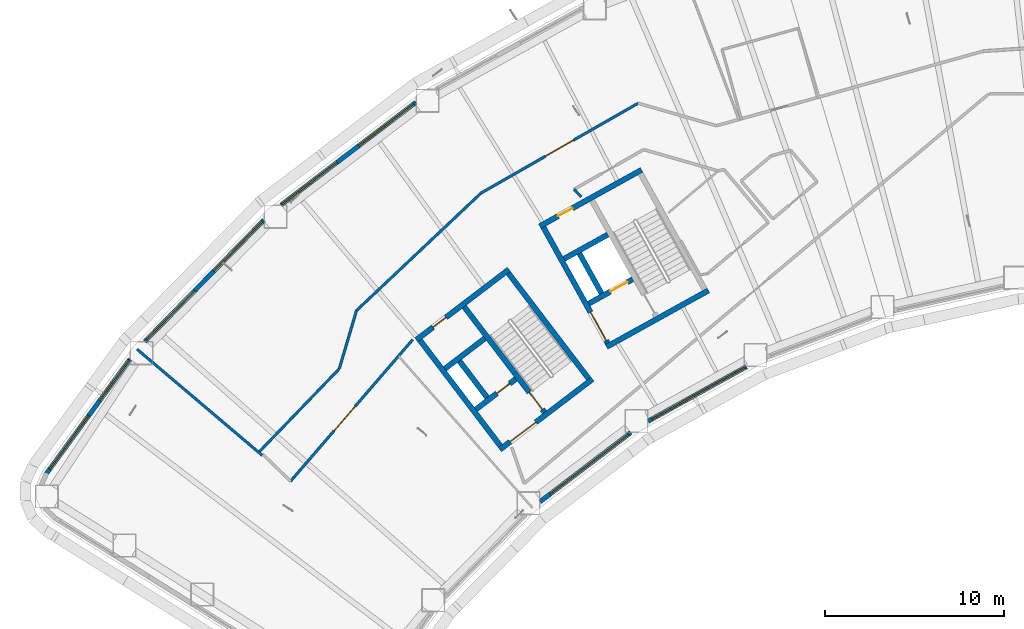
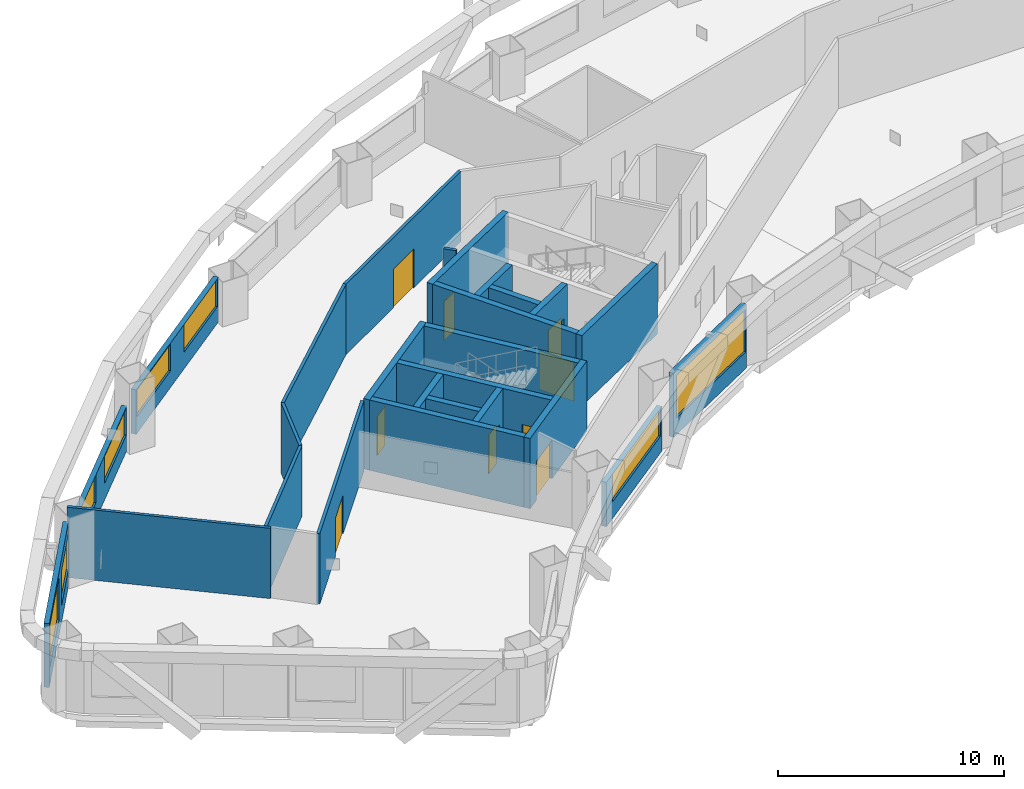
# One storey, part 3 of 19: 26 walls, 9 doors, 8 windows, 17 openings.
"""IFC4 building model written with IfcOpenShell, lengths in metres."""

from ifc_helpers import new_model, si_unit, direction, frame, frame_2d, origin, place, context, subcontext, project, spatial, rectangle, extrude, material, layer, layer_set, type_object, element, fill, save


model = new_model("IFC4")

# Units and contexts
model_context = context("Model", 3, precision=1e-05, world=origin(), true_north=direction((0.0, 1.0)))
body_context = subcontext(model_context, "Body", "Model", "MODEL_VIEW")
ifc_project = project(units=[si_unit("LENGTHUNIT", "METRE"), si_unit("AREAUNIT", "SQUARE_METRE"), si_unit("VOLUMEUNIT", "CUBIC_METRE"), si_unit("PLANEANGLEUNIT", "RADIAN"), si_unit("MASSUNIT", "GRAM", prefix="KILO")], contexts=[model_context])

# Site, building, storey
site_placement = place(None, origin())
site = spatial("IfcSite", under=ifc_project, at=site_placement, CompositionType="ELEMENT")
building_placement = place(site_placement, origin())
building = spatial("IfcBuilding", under=site, at=building_placement, Name="Tuul Gate Civic Tower", CompositionType="ELEMENT")
storey_placement = place(building_placement, frame((0.0, 0.0, 56.699951171875)))
storey = spatial("IfcBuildingStorey", under=building, at=storey_placement, Name="Level 12", CompositionType="ELEMENT", Elevation=56.699951171875)

# Wall, opening, door
ifc_material_1 = material(Name="Concrete C50/60", Category="concrete")
ifc_layer_1 = layer(ifc_material_1, 0.300048828125)
ifc_layer_set_1 = layer_set([ifc_layer_1], Name="Concrete C50/60")
wall_type_1 = type_object("IfcWallType", Name="Core wall C50/60", PredefinedType="SHEAR", material=ifc_layer_set_1)
wall_1_placement = place(storey_placement, frame((-31.19091796875, -13.669677734375, 0.0), z_axis=(0.0, 0.0, 1.0), x_axis=(-0.795606717756, -0.605813461934, 0.0)))
wall_1 = element("IfcWall", 1, at=wall_1_placement, inside=storey, type_object=wall_type_1, Name="Core wall", PredefinedType="SHEAR", context=body_context, shape_type="SweptSolid", body=[
    extrude(rectangle(XDim=6.5, YDim=0.300048828125, at=frame_2d((3.25, 0.0))), origin(), (0.0, 0.0, 1.0), 3.800048828125),
])
opening_1_placement = place(wall_1_placement, frame((3.97509765625, 0.0, 0.0)))
opening_1 = element("IfcOpeningElement", 2, at=opening_1_placement, cuts=wall_1, Name="Opening LB-W1-LOBBY-1", PredefinedType="OPENING", context=body_context, shape_type="SweptSolid", body=[
    extrude(rectangle(XDim=1.800048828125, YDim=2.10009765625, at=frame_2d((0.89990234375, 1.050048828125))), frame((0.0, 0.16015625, 0.0), z_axis=(0.0, -1.0, 0.0), x_axis=(1.0, 0.0, 0.0)), (0.0, 0.0, 1.0), 0.320068359375),
])
ifc_material_2 = material(Name="Steel", Category="steel")
door_type_1 = type_object("IfcDoorType", Name="Lobby door", OperationType="DOUBLE_DOOR_SINGLE_SWING", PredefinedType="DOOR", material=ifc_material_2)
door_1_placement = place(opening_1_placement, origin())
door_1 = element("IfcDoor", 3, at=door_1_placement, inside=storey, type_object=door_type_1, Name="Lobby door W1-LOBBY", OperationType="DOUBLE_DOOR_SINGLE_SWING", OverallHeight=2.10009765625, OverallWidth=1.800048828125, PredefinedType="DOOR", context=body_context, shape_type="SweptSolid", body=[
    extrude(rectangle(XDim=1.800048828125, YDim=2.10009765625, at=frame_2d((0.89990234375, 1.050048828125))), frame((0.0, 0.02490234375, 0.0), z_axis=(0.0, -1.0, 0.0), x_axis=(1.0, 0.0, 0.0)), (0.0, 0.0, 1.0), 0.050048828125),
])
fill(opening_1, door_1)

wall_2_placement = place(storey_placement, frame((-35.470947265625, -13.66064453125, 0.0), z_axis=(0.0, 0.0, 1.0), x_axis=(-0.795615822227, -0.605801504968, 0.0)))
wall_2 = element("IfcWall", 4, at=wall_2_placement, inside=storey, type_object=wall_type_1, Name="Core wall", PredefinedType="SHEAR", context=body_context, shape_type="SweptSolid", body=[
    extrude(rectangle(XDim=2.800048828125, YDim=0.300048828125, at=frame_2d((1.39990234375, 0.0))), origin(), (0.0, 0.0, 1.0), 3.800048828125),
])
opening_2_placement = place(wall_2_placement, frame((0.425048828125, 0.0, 0.0)))
opening_2 = element("IfcOpeningElement", 5, at=opening_2_placement, cuts=wall_2, Name="Opening FB-W1A1", PredefinedType="OPENING", context=body_context, shape_type="SweptSolid", body=[
    extrude(rectangle(XDim=0.89990234375, YDim=2.10009765625, at=frame_2d((0.449951171875, 1.050048828125))), frame((0.0, 0.16015625, 0.0), z_axis=(0.0, -1.0, 0.0), x_axis=(1.0, 0.0, 0.0)), (0.0, 0.0, 1.0), 0.320068359375),
])
ifc_material_3 = material(Name="Steel", Category="steel")
door_type_2 = type_object("IfcDoorType", Name="Store door", OperationType="NOTDEFINED", PredefinedType="DOOR", material=ifc_material_3)
door_2_placement = place(opening_2_placement, frame((0.89990234375, 0.0, 0.0), z_axis=(0.0, 0.0, 1.0), x_axis=(-1.0, 0.0, 0.0)))
door_2 = element("IfcDoor", 6, at=door_2_placement, inside=storey, type_object=door_type_2, Name="Store door W1A1", OperationType="SINGLE_SWING_RIGHT", OverallHeight=2.10009765625, OverallWidth=0.89990234375, PredefinedType="DOOR", context=body_context, shape_type="SweptSolid", body=[
    extrude(rectangle(XDim=0.89990234375, YDim=2.10009765625, at=frame_2d((0.449951171875, 1.050048828125))), frame((0.0, 0.02490234375, 0.0), z_axis=(0.0, -1.0, 0.0), x_axis=(1.0, 0.0, 0.0)), (0.0, 0.0, 1.0), 0.050048828125),
])
fill(opening_2, door_2)

# Wall
wall_3_placement = place(storey_placement, frame((-37.197509765625, -11.39306640625, 0.0), z_axis=(0.0, 0.0, 1.0), x_axis=(-0.795583820278, -0.605843531707, 0.0)))
element("IfcWall", 7, at=wall_3_placement, inside=storey, type_object=wall_type_1, Name="Core wall", PredefinedType="SHEAR", context=body_context, shape_type="SweptSolid", body=[
    extrude(rectangle(XDim=2.7998046875, YDim=0.300048828125, at=frame_2d((1.39990234375, 0.0))), origin(), (0.0, 0.0, 1.0), 3.800048828125),
])

# Wall, opening, door
wall_4_placement = place(storey_placement, frame((-35.855224609375, -7.543212890625, 0.0), z_axis=(0.0, 0.0, 1.0), x_axis=(-0.79563860527, -0.605771582202, 0.0)))
wall_4 = element("IfcWall", 8, at=wall_4_placement, inside=storey, type_object=wall_type_1, Name="Core wall", PredefinedType="SHEAR", context=body_context, shape_type="SweptSolid", body=[
    extrude(rectangle(XDim=6.5, YDim=0.300048828125, at=frame_2d((3.25, 0.0))), origin(), (0.0, 0.0, 1.0), 3.800048828125),
])
opening_3_placement = place(wall_4_placement, frame((4.425048828125, 0.0, 0.0)))
opening_3 = element("IfcOpeningElement", 9, at=opening_3_placement, cuts=wall_4, Name="Opening C-D13", PredefinedType="OPENING", context=body_context, shape_type="SweptSolid", body=[
    extrude(rectangle(XDim=0.89990234375, YDim=2.10009765625, at=frame_2d((0.449951171875, 1.050048828125))), frame((0.0, 0.16015625, 0.0), z_axis=(0.0, -1.0, 0.0), x_axis=(1.0, 0.0, 0.0)), (0.0, 0.0, 1.0), 0.320068359375),
])
ifc_material_4 = material(Name="Timber door leaf", Category="wood")
door_type_3 = type_object("IfcDoorType", Name="Door D09", OperationType="NOTDEFINED", PredefinedType="DOOR", material=ifc_material_4)
door_3_placement = place(opening_3_placement, origin())
door_3 = element("IfcDoor", 10, at=door_3_placement, inside=storey, type_object=door_type_3, Name="Door C-D13", OperationType="SINGLE_SWING_LEFT", OverallHeight=2.10009765625, OverallWidth=0.89990234375, PredefinedType="DOOR", context=body_context, shape_type="SweptSolid", body=[
    extrude(rectangle(XDim=0.89990234375, YDim=2.10009765625, at=frame_2d((0.449951171875, 1.050048828125))), frame((0.0, 0.02490234375, 0.0), z_axis=(0.0, -1.0, 0.0), x_axis=(1.0, 0.0, 0.0)), (0.0, 0.0, 1.0), 0.050048828125),
])
fill(opening_3, door_3)

# Wall
wall_5_placement = place(storey_placement, frame((-31.401123046875, -13.64111328125, 0.0), z_axis=(0.0, 0.0, 1.0), x_axis=(-0.605769822278, 0.795639945213, 0.0)))
element("IfcWall", 11, at=wall_5_placement, inside=storey, type_object=wall_type_1, Name="Core wall", PredefinedType="SHEAR", context=body_context, shape_type="SweptSolid", body=[
    extrude(rectangle(XDim=7.39990234375, YDim=0.300048828125, at=frame_2d((3.699951171875, 0.0))), origin(), (0.0, 0.0, 1.0), 3.800048828125),
])

# Wall, opening, door
wall_6_placement = place(storey_placement, frame((-33.867431640625, -15.51904296875, 0.0), z_axis=(0.0, 0.0, 1.0), x_axis=(-0.605769822278, 0.795639945213, 0.0)))
wall_6 = element("IfcWall", 12, at=wall_6_placement, inside=storey, type_object=wall_type_1, Name="Core wall", PredefinedType="SHEAR", context=body_context, shape_type="SweptSolid", body=[
    extrude(rectangle(XDim=7.39990234375, YDim=0.300048828125, at=frame_2d((3.699951171875, 0.0))), origin(), (0.0, 0.0, 1.0), 3.800048828125),
])
opening_4_placement = place(wall_6_placement, frame((0.199951171875, 0.0, 0.0)))
opening_4 = element("IfcOpeningElement", 13, at=opening_4_placement, cuts=wall_6, Name="Opening SD-ST-1", PredefinedType="OPENING", context=body_context, shape_type="SweptSolid", body=[
    extrude(rectangle(XDim=1.199951171875, YDim=2.10009765625, at=frame_2d((0.60009765625, 1.050048828125))), frame((0.0, 0.16015625, 0.0), z_axis=(0.0, -1.0, 0.0), x_axis=(1.0, 0.0, 0.0)), (0.0, 0.0, 1.0), 0.320068359375),
])
ifc_material_5 = material(Name="Steel", Category="steel")
door_type_4 = type_object("IfcDoorType", Name="Stair door", OperationType="NOTDEFINED", PredefinedType="DOOR", material=ifc_material_5)
door_4_placement = place(opening_4_placement, origin())
door_4 = element("IfcDoor", 14, at=door_4_placement, inside=storey, type_object=door_type_4, Name="Stair door ST-1", OperationType="SINGLE_SWING_LEFT", OverallHeight=2.10009765625, OverallWidth=1.199951171875, PredefinedType="DOOR", context=body_context, shape_type="SweptSolid", body=[
    extrude(rectangle(XDim=1.199951171875, YDim=2.10009765625, at=frame_2d((0.60009765625, 1.050048828125))), frame((0.0, 0.02490234375, 0.0), z_axis=(0.0, -1.0, 0.0), x_axis=(1.0, 0.0, 0.0)), (0.0, 0.0, 1.0), 0.050048828125),
])
fill(opening_4, door_4)

# Walls
wall_7_placement = place(storey_placement, frame((-37.073486328125, -14.6923828125, 0.0), z_axis=(0.0, 0.0, 1.0), x_axis=(-0.605728760074, 0.79567120673, 0.0)))
element("IfcWall", 15, at=wall_7_placement, inside=storey, type_object=wall_type_1, Name="Core wall", PredefinedType="SHEAR", context=body_context, shape_type="SweptSolid", body=[
    extrude(rectangle(XDim=2.550048828125, YDim=0.300048828125, at=frame_2d((1.27490234375, 0.0))), origin(), (0.0, 0.0, 1.0), 3.800048828125),
])
wall_8_placement = place(storey_placement, frame((-36.333984375, -17.397216796875, 0.0), z_axis=(0.0, 0.0, 1.0), x_axis=(-0.605753921168, 0.795652051458, 0.0)))
element("IfcWall", 16, at=wall_8_placement, inside=storey, type_object=wall_type_1, Name="Core wall", PredefinedType="SHEAR", context=body_context, shape_type="SweptSolid", body=[
    extrude(rectangle(XDim=7.400146484375, YDim=0.300048828125, at=frame_2d((3.7001953125, 0.0))), origin(), (0.0, 0.0, 1.0), 3.800048828125),
])
wall_9_placement = place(storey_placement, frame((-24.711669921875, -8.7158203125, 0.0), z_axis=(0.0, 0.0, 1.0), x_axis=(-0.874629909008, -0.484791215132, 0.0)))
element("IfcWall", 17, at=wall_9_placement, inside=storey, type_object=wall_type_1, Name="Core wall", PredefinedType="SHEAR", context=body_context, shape_type="SweptSolid", body=[
    extrude(rectangle(XDim=6.5, YDim=0.300048828125, at=frame_2d((3.25, 0.0))), origin(), (0.0, 0.0, 1.0), 3.800048828125),
])

# Wall, opening, door
wall_10_placement = place(storey_placement, frame((-28.94580078125, -8.090087890625, 0.0), z_axis=(0.0, 0.0, 1.0), x_axis=(-0.874629840737, -0.484791338301, 0.0)))
wall_10 = element("IfcWall", 18, at=wall_10_placement, inside=storey, type_object=wall_type_1, Name="Core wall", PredefinedType="SHEAR", context=body_context, shape_type="SweptSolid", body=[
    extrude(rectangle(XDim=2.800048828125, YDim=0.300048828125, at=frame_2d((1.39990234375, 0.0))), origin(), (0.0, 0.0, 1.0), 3.800048828125),
])
opening_5_placement = place(wall_10_placement, frame((0.324951171875, 0.0, 0.0)))
opening_5 = element("IfcOpeningElement", 19, at=opening_5_placement, cuts=wall_10, Name="Opening LD-FF-1", PredefinedType="OPENING", context=body_context, shape_type="SweptSolid", body=[
    extrude(rectangle(XDim=1.10009765625, YDim=2.10009765625, at=frame_2d((0.550048828125, 1.050048828125))), frame((0.0, 0.16015625, 0.0), z_axis=(0.0, -1.0, 0.0), x_axis=(1.0, 0.0, 0.0)), (0.0, 0.0, 1.0), 0.320068359375),
])
ifc_material_6 = material(Name="Stainless steel", Category="steel")
door_type_5 = type_object("IfcDoorType", Name="Landing door", OperationType="DOUBLE_DOOR_SLIDING", PredefinedType="DOOR", material=ifc_material_6)
door_5_placement = place(opening_5_placement, origin())
door_5 = element("IfcDoor", 20, at=door_5_placement, inside=storey, type_object=door_type_5, Name="Fire-fighting lift FF-1 landing door", OperationType="DOUBLE_DOOR_SLIDING", OverallHeight=2.10009765625, OverallWidth=1.10009765625, PredefinedType="DOOR", context=body_context, shape_type="SweptSolid", body=[
    extrude(rectangle(XDim=1.10009765625, YDim=2.10009765625, at=frame_2d((0.550048828125, 1.050048828125))), frame((0.0, 0.02490234375, 0.0), z_axis=(0.0, -1.0, 0.0), x_axis=(1.0, 0.0, 0.0)), (0.0, 0.0, 1.0), 0.050048828125),
])
fill(opening_5, door_5)

# Wall
wall_11_placement = place(storey_placement, frame((-30.327392578125, -5.59716796875, 0.0), z_axis=(0.0, 0.0, 1.0), x_axis=(-0.874629840737, -0.484791338301, 0.0)))
element("IfcWall", 21, at=wall_11_placement, inside=storey, type_object=wall_type_1, Name="Core wall", PredefinedType="SHEAR", context=body_context, shape_type="SweptSolid", body=[
    extrude(rectangle(XDim=2.800048828125, YDim=0.300048828125, at=frame_2d((1.39990234375, 0.0))), origin(), (0.0, 0.0, 1.0), 3.800048828125),
])

# Wall, opening, door
wall_12_placement = place(storey_placement, frame((-28.4443359375, -1.98095703125, 0.0), z_axis=(0.0, 0.0, 1.0), x_axis=(-0.874629909008, -0.484791215132, 0.0)))
wall_12 = element("IfcWall", 22, at=wall_12_placement, inside=storey, type_object=wall_type_1, Name="Core wall", PredefinedType="SHEAR", context=body_context, shape_type="SweptSolid", body=[
    extrude(rectangle(XDim=6.5, YDim=0.300048828125, at=frame_2d((3.25, 0.0))), origin(), (0.0, 0.0, 1.0), 3.800048828125),
])
opening_6_placement = place(wall_12_placement, frame((4.425048828125, 0.0, 0.0)))
opening_6 = element("IfcOpeningElement", 23, at=opening_6_placement, cuts=wall_12, Name="Opening C-D14", PredefinedType="OPENING", context=body_context, shape_type="SweptSolid", body=[
    extrude(rectangle(XDim=0.89990234375, YDim=2.10009765625, at=frame_2d((0.449951171875, 1.050048828125))), frame((0.0, 0.16015625, 0.0), z_axis=(0.0, -1.0, 0.0), x_axis=(1.0, 0.0, 0.0)), (0.0, 0.0, 1.0), 0.320068359375),
])
door_6_placement = place(opening_6_placement, origin())
door_6 = element("IfcDoor", 24, at=door_6_placement, inside=storey, type_object=door_type_3, Name="Door C-D14", OperationType="SINGLE_SWING_LEFT", OverallHeight=2.10009765625, OverallWidth=0.89990234375, PredefinedType="DOOR", context=body_context, shape_type="SweptSolid", body=[
    extrude(rectangle(XDim=0.89990234375, YDim=2.10009765625, at=frame_2d((0.449951171875, 1.050048828125))), frame((0.0, 0.02490234375, 0.0), z_axis=(0.0, -1.0, 0.0), x_axis=(1.0, 0.0, 0.0)), (0.0, 0.0, 1.0), 0.050048828125),
])
fill(opening_6, door_6)

# Wall
wall_13_placement = place(storey_placement, frame((-30.680419921875, -8.8798828125, 0.0), z_axis=(0.0, 0.0, 1.0), x_axis=(-0.484724115216, 0.874667097888, 0.0)))
element("IfcWall", 25, at=wall_13_placement, inside=storey, type_object=wall_type_1, Name="Core wall", PredefinedType="SHEAR", context=body_context, shape_type="SweptSolid", body=[
    extrude(rectangle(XDim=2.550048828125, YDim=0.300048828125, at=frame_2d((1.27490234375, 0.0))), origin(), (0.0, 0.0, 1.0), 3.800048828125),
])

# Wall, opening, door
wall_14_placement = place(storey_placement, frame((-30.33837890625, -11.6630859375, 0.0), z_axis=(0.0, 0.0, 1.0), x_axis=(-0.484751894226, 0.874651702704, 0.0)))
wall_14 = element("IfcWall", 26, at=wall_14_placement, inside=storey, type_object=wall_type_1, Name="Core wall", PredefinedType="SHEAR", context=body_context, shape_type="SweptSolid", body=[
    extrude(rectangle(XDim=7.39990234375, YDim=0.300048828125, at=frame_2d((3.699951171875, 0.0))), origin(), (0.0, 0.0, 1.0), 3.800048828125),
])
opening_7_placement = place(wall_14_placement, frame((0.175048828125, 0.0, 0.0)))
opening_7 = element("IfcOpeningElement", 27, at=opening_7_placement, cuts=wall_14, Name="Opening LB-W2-FLOBBY-1", PredefinedType="OPENING", context=body_context, shape_type="SweptSolid", body=[
    extrude(rectangle(XDim=1.800048828125, YDim=2.10009765625, at=frame_2d((0.89990234375, 1.050048828125))), frame((0.0, 0.16015625, 0.0), z_axis=(0.0, -1.0, 0.0), x_axis=(1.0, 0.0, 0.0)), (0.0, 0.0, 1.0), 0.320068359375),
])
door_7_placement = place(opening_7_placement, origin())
door_7 = element("IfcDoor", 28, at=door_7_placement, inside=storey, type_object=door_type_1, Name="Lobby door W2-FLOBBY", OperationType="DOUBLE_DOOR_SINGLE_SWING", OverallHeight=2.10009765625, OverallWidth=1.800048828125, PredefinedType="DOOR", context=body_context, shape_type="SweptSolid", body=[
    extrude(rectangle(XDim=1.800048828125, YDim=2.10009765625, at=frame_2d((0.89990234375, 1.050048828125))), frame((0.0, 0.02490234375, 0.0), z_axis=(0.0, -1.0, 0.0), x_axis=(1.0, 0.0, 0.0)), (0.0, 0.0, 1.0), 0.050048828125),
])
fill(opening_7, door_7)

ifc_material_7 = material(Name="Gypsum board partition")
ifc_layer_2 = layer(ifc_material_7, 0.14990234375)
ifc_layer_set_2 = layer_set([ifc_layer_2], Name="Gypsum board partition")
wall_type_2 = type_object("IfcWallType", Name="Corridor wall P150", PredefinedType="PARTITIONING", material=ifc_layer_set_2)
wall_15_placement = place(storey_placement, frame((-37.4111328125, -3.27685546875, 0.0), z_axis=(0.0, 0.0, 1.0), x_axis=(0.868030392738, 0.496511064614, 0.0)))
wall_15 = element("IfcWall", 29, at=wall_15_placement, inside=storey, type_object=wall_type_2, Name="p035", PredefinedType="PARTITIONING", context=body_context, shape_type="SweptSolid", body=[
    extrude(rectangle(XDim=10.102294921875, YDim=0.14990234375, at=frame_2d((5.05126953125, 0.0))), origin(), (0.0, 0.0, 1.0), 3.800048828125),
])
opening_8_placement = place(wall_15_placement, frame((4.151123046875, 0.0, 0.0)))
opening_8 = element("IfcOpeningElement", 30, at=opening_8_placement, cuts=wall_15, Name="Opening C-D05", PredefinedType="OPENING", context=body_context, shape_type="SweptSolid", body=[
    extrude(rectangle(XDim=1.800048828125, YDim=2.10009765625, at=frame_2d((0.89990234375, 1.050048828125))), frame((0.0, 0.0849609375, 0.0), z_axis=(0.0, -1.0, 0.0), x_axis=(1.0, 0.0, 0.0)), (0.0, 0.0, 1.0), 0.169921875),
])
ifc_material_8 = material(Name="Timber door leaf, double", Category="wood")
door_type_6 = type_object("IfcDoorType", Name="Door D18", OperationType="DOUBLE_DOOR_SINGLE_SWING", PredefinedType="DOOR", material=ifc_material_8)
door_8_placement = place(opening_8_placement, origin())
door_8 = element("IfcDoor", 31, at=door_8_placement, inside=storey, type_object=door_type_6, Name="Door C-D05", OperationType="DOUBLE_DOOR_SINGLE_SWING", OverallHeight=2.10009765625, OverallWidth=1.800048828125, PredefinedType="DOOR", context=body_context, shape_type="SweptSolid", body=[
    extrude(rectangle(XDim=1.800048828125, YDim=2.10009765625, at=frame_2d((0.89990234375, 1.050048828125))), frame((0.0, 0.02490234375, 0.0), z_axis=(0.0, -1.0, 0.0), x_axis=(1.0, 0.0, 0.0)), (0.0, 0.0, 1.0), 0.050048828125),
])
fill(opening_8, door_8)

# Walls
wall_16_placement = place(storey_placement, frame((-44.368408203125, -9.840087890625, 0.0), z_axis=(0.0, 0.0, 1.0), x_axis=(0.727386198167, 0.686228328412, 0.0)))
element("IfcWall", 32, at=wall_16_placement, inside=storey, type_object=wall_type_2, Name="p036", PredefinedType="PARTITIONING", context=body_context, shape_type="SweptSolid", body=[
    extrude(rectangle(XDim=9.56201171875, YDim=0.14990234375, at=frame_2d((4.781005859375, 0.0))), origin(), (0.0, 0.0, 1.0), 3.800048828125),
])
wall_17_placement = place(storey_placement, frame((-45.328125, -13.085205078125, 0.0), z_axis=(0.0, 0.0, 1.0), x_axis=(0.283471373964, 0.958980698525, 0.0)))
element("IfcWall", 33, at=wall_17_placement, inside=storey, type_object=wall_type_2, Name="p037", PredefinedType="PARTITIONING", context=body_context, shape_type="SweptSolid", body=[
    extrude(rectangle(XDim=3.382080078125, YDim=0.14990234375, at=frame_2d((1.69091796875, 0.0))), origin(), (0.0, 0.0, 1.0), 3.800048828125),
])
wall_18_placement = place(storey_placement, frame((-49.778076171875, -17.70458984375, 0.0), z_axis=(0.0, 0.0, 1.0), x_axis=(0.694082648112, 0.71989532405, 0.0)))
element("IfcWall", 34, at=wall_18_placement, inside=storey, type_object=wall_type_2, Name="p038", PredefinedType="PARTITIONING", context=body_context, shape_type="SweptSolid", body=[
    extrude(rectangle(XDim=6.403076171875, YDim=0.14990234375, at=frame_2d((3.20166015625, 0.0))), origin(), (0.0, 0.0, 1.0), 3.800048828125),
])
wall_19_placement = place(storey_placement, frame((-56.62353515625, -12.0029296875, 0.0), z_axis=(0.0, 0.0, 1.0), x_axis=(0.762780122702, -0.646657934623, 0.0)))
element("IfcWall", 35, at=wall_19_placement, inside=storey, type_object=wall_type_2, Name="p040", PredefinedType="PARTITIONING", context=body_context, shape_type="SweptSolid", body=[
    extrude(rectangle(XDim=9.15625, YDim=0.14990234375, at=frame_2d((4.578125, 0.0))), origin(), (0.0, 0.0, 1.0), 3.800048828125),
])

# Wall, opening, door
wall_20_placement = place(storey_placement, frame((-48.051025390625, -19.37109375, 0.0), z_axis=(0.0, 0.0, 1.0), x_axis=(0.653110258005, 0.757262828144, 0.0)))
wall_20 = element("IfcWall", 36, at=wall_20_placement, inside=storey, type_object=wall_type_2, Name="p047", PredefinedType="PARTITIONING", context=body_context, shape_type="SweptSolid", body=[
    extrude(rectangle(XDim=10.44287109375, YDim=0.14990234375, at=frame_2d((5.221435546875, 0.0))), origin(), (0.0, 0.0, 1.0), 3.800048828125),
])
opening_9_placement = place(wall_20_placement, frame((3.714599609375, 0.0, 0.0)))
opening_9 = element("IfcOpeningElement", 37, at=opening_9_placement, cuts=wall_20, Name="Opening C-D09", PredefinedType="OPENING", context=body_context, shape_type="SweptSolid", body=[
    extrude(rectangle(XDim=1.800048828125, YDim=2.10009765625, at=frame_2d((0.89990234375, 1.050048828125))), frame((0.0, 0.0849609375, 0.0), z_axis=(0.0, -1.0, 0.0), x_axis=(1.0, 0.0, 0.0)), (0.0, 0.0, 1.0), 0.169921875),
])
door_9_placement = place(opening_9_placement, frame((1.800048828125, 0.0, 0.0), z_axis=(0.0, 0.0, 1.0), x_axis=(-1.0, 0.0, 0.0)))
door_9 = element("IfcDoor", 38, at=door_9_placement, inside=storey, type_object=door_type_6, Name="Door C-D09", OperationType="DOUBLE_DOOR_SINGLE_SWING", OverallHeight=2.10009765625, OverallWidth=1.800048828125, PredefinedType="DOOR", context=body_context, shape_type="SweptSolid", body=[
    extrude(rectangle(XDim=1.800048828125, YDim=2.10009765625, at=frame_2d((0.900146484375, 1.050048828125))), frame((0.0, 0.02490234375, 0.0), z_axis=(0.0, -1.0, 0.0), x_axis=(1.0, 0.0, 0.0)), (0.0, 0.0, 1.0), 0.050048828125),
])
fill(opening_9, door_9)

# Wall
wall_21_placement = place(storey_placement, frame((-32.216552734375, -3.0703125, 0.0), z_axis=(0.0, 0.0, 1.0), x_axis=(0.695151117755, -0.718863633441, 0.0)))
element("IfcWall", 39, at=wall_21_placement, inside=storey, type_object=wall_type_2, Name="p061", PredefinedType="PARTITIONING", context=body_context, shape_type="SweptSolid", body=[
    extrude(rectangle(XDim=0.5869140625, YDim=0.14990234375, at=frame_2d((0.29345703125, 0.0))), origin(), (0.0, 0.0, 1.0), 3.800048828125),
])

# Wall, openings, windows
ifc_material_9 = material(Name="Precast concrete C40/50", Category="concrete")
ifc_layer_3 = layer(ifc_material_9, 0.25)
ifc_layer_set_3 = layer_set([ifc_layer_3], Name="Precast concrete C40/50")
wall_type_3 = type_object("IfcWallType", Name="External wall", PredefinedType="STANDARD", material=ifc_layer_set_3)
wall_22_placement = place(storey_placement, frame((-57.02197265625, -12.556884765625, 0.0), z_axis=(0.0, 0.0, 1.0), x_axis=(-0.589806928208, -0.807544294412, 0.0)))
wall_22 = element("IfcWall", 40, at=wall_22_placement, inside=storey, type_object=wall_type_3, Name="External wall", PredefinedType="STANDARD", context=body_context, shape_type="SweptSolid", body=[
    extrude(rectangle(XDim=7.912841796875, YDim=0.25, at=frame_2d((3.95654296875, 0.0))), origin(), (0.0, 0.0, 1.0), 3.449951171875),
])
opening_10_placement = place(wall_22_placement, frame((0.06103515625, 0.0, 0.89990234375)))
opening_10 = element("IfcOpeningElement", 41, at=opening_10_placement, cuts=wall_22, Name="Opening W139", PredefinedType="OPENING", context=body_context, shape_type="SweptSolid", body=[
    extrude(rectangle(XDim=2.800048828125, YDim=1.89990234375, at=frame_2d((1.39990234375, 0.949951171875))), frame((0.0, 0.135009765625, 0.0), z_axis=(0.0, -1.0, 0.0), x_axis=(1.0, 0.0, 0.0)), (0.0, 0.0, 1.0), 0.27001953125),
])
opening_11_placement = place(wall_22_placement, frame((3.912109375, 0.0, 0.89990234375)))
opening_11 = element("IfcOpeningElement", 42, at=opening_11_placement, cuts=wall_22, Name="Opening W21", PredefinedType="OPENING", context=body_context, shape_type="SweptSolid", body=[
    extrude(rectangle(XDim=3.699951171875, YDim=2.300048828125, at=frame_2d((1.85009765625, 1.14990234375))), frame((0.0, 0.135009765625, 0.0), z_axis=(0.0, -1.0, 0.0), x_axis=(1.0, 0.0, 0.0)), (0.0, 0.0, 1.0), 0.27001953125),
])
ifc_material_10 = material(Name="Glass", Category="glass")
window_type_1 = type_object("IfcWindowType", Name="Window W139 2800 x 1900", PartitioningType="SINGLE_PANEL", PredefinedType="WINDOW", material=ifc_material_10)
window_1_placement = place(opening_10_placement, origin())
window_1 = element("IfcWindow", 43, at=window_1_placement, inside=storey, type_object=window_type_1, Name="Window", OverallHeight=1.89990234375, OverallWidth=2.800048828125, PartitioningType="SINGLE_PANEL", PredefinedType="WINDOW", context=body_context, shape_type="SweptSolid", body=[
    extrude(rectangle(XDim=2.800048828125, YDim=1.89990234375, at=frame_2d((1.39990234375, 0.949951171875))), frame((0.0, 0.030029296875, 0.0), z_axis=(0.0, -1.0, 0.0), x_axis=(1.0, 0.0, 0.0)), (0.0, 0.0, 1.0), 0.06005859375),
])
fill(opening_10, window_1)
ifc_material_11 = material(Name="Glass", Category="glass")
window_type_2 = type_object("IfcWindowType", Name="Window W21 3700 x 2300", PartitioningType="SINGLE_PANEL", PredefinedType="WINDOW", material=ifc_material_11)
window_2_placement = place(opening_11_placement, origin())
window_2 = element("IfcWindow", 44, at=window_2_placement, inside=storey, type_object=window_type_2, Name="Window", OverallHeight=2.300048828125, OverallWidth=3.699951171875, PartitioningType="SINGLE_PANEL", PredefinedType="WINDOW", context=body_context, shape_type="SweptSolid", body=[
    extrude(rectangle(XDim=3.699951171875, YDim=2.300048828125, at=frame_2d((1.85009765625, 1.14990234375))), frame((0.0, 0.030029296875, 0.0), z_axis=(0.0, -1.0, 0.0), x_axis=(1.0, 0.0, 0.0)), (0.0, 0.0, 1.0), 0.06005859375),
])
fill(opening_11, window_2)

# Wall, opening, window
wall_23_placement = place(storey_placement, frame((-28.076904296875, -16.0166015625, 0.0), z_axis=(0.0, 0.0, 1.0), x_axis=(0.874630436192, 0.484790264018, 0.0)))
wall_23 = element("IfcWall", 45, at=wall_23_placement, inside=storey, type_object=wall_type_3, Name="External wall", PredefinedType="STANDARD", context=body_context, shape_type="SweptSolid", body=[
    extrude(rectangle(XDim=6.27392578125, YDim=0.25, at=frame_2d((3.136962890625, 0.0))), origin(), (0.0, 0.0, 1.0), 3.449951171875),
])
opening_12_placement = place(wall_23_placement, frame((0.237060546875, 0.0, 0.89990234375)))
opening_12 = element("IfcOpeningElement", 46, at=opening_12_placement, cuts=wall_23, Name="Opening W101", PredefinedType="OPENING", context=body_context, shape_type="SweptSolid", body=[
    extrude(rectangle(XDim=5.949951171875, YDim=2.300048828125, at=frame_2d((2.97509765625, 1.14990234375))), frame((0.0, 0.135009765625, 0.0), z_axis=(0.0, -1.0, 0.0), x_axis=(1.0, 0.0, 0.0)), (0.0, 0.0, 1.0), 0.27001953125),
])
ifc_material_12 = material(Name="Glass", Category="glass")
window_type_3 = type_object("IfcWindowType", Name="Window W101 5950 x 2300", PartitioningType="SINGLE_PANEL", PredefinedType="WINDOW", material=ifc_material_12)
window_3_placement = place(opening_12_placement, origin())
window_3 = element("IfcWindow", 47, at=window_3_placement, inside=storey, type_object=window_type_3, Name="Window", OverallHeight=2.300048828125, OverallWidth=5.949951171875, PartitioningType="SINGLE_PANEL", PredefinedType="WINDOW", context=body_context, shape_type="SweptSolid", body=[
    extrude(rectangle(XDim=5.949951171875, YDim=2.300048828125, at=frame_2d((2.97509765625, 1.14990234375))), frame((0.0, 0.030029296875, 0.0), z_axis=(0.0, -1.0, 0.0), x_axis=(1.0, 0.0, 0.0)), (0.0, 0.0, 1.0), 0.06005859375),
])
fill(opening_12, window_3)

# Wall, openings, windows
ifc_material_13 = material(Name="Precast concrete C40/50", Category="concrete")
ifc_layer_4 = layer(ifc_material_13, 0.25)
ifc_layer_set_4 = layer_set([ifc_layer_4], Name="Precast concrete C40/50")
wall_type_4 = type_object("IfcWallType", Name="External wall 2400 HIGH", PredefinedType="STANDARD", material=ifc_layer_set_4)
wall_24_placement = place(storey_placement, frame((-41.052001953125, 1.7900390625, 0.0), z_axis=(0.0, 0.0, 1.0), x_axis=(-0.795612935537, -0.605805296119, 0.0)))
wall_24 = element("IfcWall", 48, at=wall_24_placement, inside=storey, type_object=wall_type_4, Name="External wall", PredefinedType="STANDARD", context=body_context, shape_type="SweptSolid", body=[
    extrude(rectangle(XDim=9.461669921875, YDim=0.25, at=frame_2d((4.73095703125, 0.0))), origin(), (0.0, 0.0, 1.0), 2.400146484375),
])
opening_13_placement = place(wall_24_placement, frame((0.158935546875, 0.0, 0.89990234375)))
opening_13 = element("IfcOpeningElement", 49, at=opening_13_placement, cuts=wall_24, Name="Opening W155", PredefinedType="OPENING", context=body_context, shape_type="SweptSolid", body=[
    extrude(rectangle(XDim=3.85009765625, YDim=1.5, at=frame_2d((1.925048828125, 0.75))), frame((0.0, 0.135009765625, 0.0), z_axis=(0.0, -1.0, 0.0), x_axis=(1.0, 0.0, 0.0)), (0.0, 0.0, 1.0), 0.27001953125),
])
opening_14_placement = place(wall_24_placement, frame((5.530029296875, 0.0, 0.89990234375)))
opening_14 = element("IfcOpeningElement", 50, at=opening_14_placement, cuts=wall_24, Name="Opening W103", PredefinedType="OPENING", context=body_context, shape_type="SweptSolid", body=[
    extrude(rectangle(XDim=3.85009765625, YDim=1.449951171875, at=frame_2d((1.925048828125, 0.72509765625))), frame((0.0, 0.135009765625, 0.0), z_axis=(0.0, -1.0, 0.0), x_axis=(1.0, 0.0, 0.0)), (0.0, 0.0, 1.0), 0.27001953125),
])
ifc_material_14 = material(Name="Glass", Category="glass")
window_type_4 = type_object("IfcWindowType", Name="Window 3850 x 1500", PartitioningType="SINGLE_PANEL", PredefinedType="WINDOW", material=ifc_material_14)
window_4_placement = place(opening_13_placement, origin())
window_4 = element("IfcWindow", 51, at=window_4_placement, inside=storey, type_object=window_type_4, Name="Window", OverallHeight=1.5, OverallWidth=3.85009765625, PartitioningType="SINGLE_PANEL", PredefinedType="WINDOW", context=body_context, shape_type="SweptSolid", body=[
    extrude(rectangle(XDim=3.85009765625, YDim=1.5, at=frame_2d((1.925048828125, 0.75))), frame((0.0, 0.030029296875, 0.0), z_axis=(0.0, -1.0, 0.0), x_axis=(1.0, 0.0, 0.0)), (0.0, 0.0, 1.0), 0.06005859375),
])
fill(opening_13, window_4)
ifc_material_15 = material(Name="Glass", Category="glass")
window_type_5 = type_object("IfcWindowType", Name="Window W103 3850 x 1450", PartitioningType="SINGLE_PANEL", PredefinedType="WINDOW", material=ifc_material_15)
window_5_placement = place(opening_14_placement, origin())
window_5 = element("IfcWindow", 52, at=window_5_placement, inside=storey, type_object=window_type_5, Name="Window", OverallHeight=1.449951171875, OverallWidth=3.85009765625, PartitioningType="SINGLE_PANEL", PredefinedType="WINDOW", context=body_context, shape_type="SweptSolid", body=[
    extrude(rectangle(XDim=3.85009765625, YDim=1.449951171875, at=frame_2d((1.925048828125, 0.72509765625))), frame((0.0, 0.030029296875, 0.0), z_axis=(0.0, -1.0, 0.0), x_axis=(1.0, 0.0, 0.0)), (0.0, 0.0, 1.0), 0.06005859375),
])
fill(opening_14, window_5)

wall_25_placement = place(storey_placement, frame((-49.548095703125, -4.791748046875, 0.0), z_axis=(0.0, 0.0, 1.0), x_axis=(-0.699994476854, -0.714148256578, 0.0)))
wall_25 = element("IfcWall", 53, at=wall_25_placement, inside=storey, type_object=wall_type_4, Name="External wall", PredefinedType="STANDARD", context=body_context, shape_type="SweptSolid", body=[
    extrude(rectangle(XDim=9.487060546875, YDim=0.25, at=frame_2d((4.74365234375, 0.0))), origin(), (0.0, 0.0, 1.0), 2.400146484375),
])
opening_15_placement = place(wall_25_placement, frame((0.1298828125, 0.0, 0.89990234375)))
opening_15 = element("IfcOpeningElement", 54, at=opening_15_placement, cuts=wall_25, Name="Opening W103", PredefinedType="OPENING", context=body_context, shape_type="SweptSolid", body=[
    extrude(rectangle(XDim=3.85009765625, YDim=1.449951171875, at=frame_2d((1.925048828125, 0.72509765625))), frame((0.0, 0.135009765625, 0.0), z_axis=(0.0, -1.0, 0.0), x_axis=(1.0, 0.0, 0.0)), (0.0, 0.0, 1.0), 0.27001953125),
])
opening_16_placement = place(wall_25_placement, frame((5.501708984375, 0.0, 0.89990234375)))
opening_16 = element("IfcOpeningElement", 55, at=opening_16_placement, cuts=wall_25, Name="Opening W155", PredefinedType="OPENING", context=body_context, shape_type="SweptSolid", body=[
    extrude(rectangle(XDim=3.85009765625, YDim=1.5, at=frame_2d((1.925048828125, 0.75))), frame((0.0, 0.135009765625, 0.0), z_axis=(0.0, -1.0, 0.0), x_axis=(1.0, 0.0, 0.0)), (0.0, 0.0, 1.0), 0.27001953125),
])
window_6_placement = place(opening_16_placement, origin())
window_6 = element("IfcWindow", 56, at=window_6_placement, inside=storey, type_object=window_type_4, Name="Window", OverallHeight=1.5, OverallWidth=3.85009765625, PartitioningType="SINGLE_PANEL", PredefinedType="WINDOW", context=body_context, shape_type="SweptSolid", body=[
    extrude(rectangle(XDim=3.85009765625, YDim=1.5, at=frame_2d((1.925048828125, 0.75))), frame((0.0, 0.030029296875, 0.0), z_axis=(0.0, -1.0, 0.0), x_axis=(1.0, 0.0, 0.0)), (0.0, 0.0, 1.0), 0.06005859375),
])
fill(opening_16, window_6)
window_7_placement = place(opening_15_placement, origin())
window_7 = element("IfcWindow", 57, at=window_7_placement, inside=storey, type_object=window_type_5, Name="Window", OverallHeight=1.449951171875, OverallWidth=3.85009765625, PartitioningType="SINGLE_PANEL", PredefinedType="WINDOW", context=body_context, shape_type="SweptSolid", body=[
    extrude(rectangle(XDim=3.85009765625, YDim=1.449951171875, at=frame_2d((1.925048828125, 0.72509765625))), frame((0.0, 0.030029296875, 0.0), z_axis=(0.0, -1.0, 0.0), x_axis=(1.0, 0.0, 0.0)), (0.0, 0.0, 1.0), 0.06005859375),
])
fill(opening_15, window_7)

# Wall, opening, window
wall_26_placement = place(storey_placement, frame((-34.116943359375, -20.5185546875, 0.0), z_axis=(0.0, 0.0, 1.0), x_axis=(0.795571471624, 0.605859747416, 0.0)))
wall_26 = element("IfcWall", 58, at=wall_26_placement, inside=storey, type_object=wall_type_4, Name="External wall", PredefinedType="STANDARD", context=body_context, shape_type="SweptSolid", body=[
    extrude(rectangle(XDim=6.375244140625, YDim=0.25, at=frame_2d((3.1875, 0.0))), origin(), (0.0, 0.0, 1.0), 2.400146484375),
])
opening_17_placement = place(wall_26_placement, frame((0.7041015625, 0.0, 0.89990234375)))
opening_17 = element("IfcOpeningElement", 59, at=opening_17_placement, cuts=wall_26, Name="Opening W156", PredefinedType="OPENING", context=body_context, shape_type="SweptSolid", body=[
    extrude(rectangle(XDim=5.5, YDim=1.5, at=frame_2d((2.75, 0.75))), frame((0.0, 0.135009765625, 0.0), z_axis=(0.0, -1.0, 0.0), x_axis=(1.0, 0.0, 0.0)), (0.0, 0.0, 1.0), 0.27001953125),
])
ifc_material_16 = material(Name="Glass", Category="glass")
window_type_6 = type_object("IfcWindowType", Name="Window 5500 x 1500", PartitioningType="SINGLE_PANEL", PredefinedType="WINDOW", material=ifc_material_16)
window_8_placement = place(opening_17_placement, origin())
window_8 = element("IfcWindow", 60, at=window_8_placement, inside=storey, type_object=window_type_6, Name="Window", OverallHeight=1.5, OverallWidth=5.5, PartitioningType="SINGLE_PANEL", PredefinedType="WINDOW", context=body_context, shape_type="SweptSolid", body=[
    extrude(rectangle(XDim=5.5, YDim=1.5, at=frame_2d((2.75, 0.75))), frame((0.0, 0.030029296875, 0.0), z_axis=(0.0, -1.0, 0.0), x_axis=(1.0, 0.0, 0.0)), (0.0, 0.0, 1.0), 0.06005859375),
])
fill(opening_17, window_8)

save(model, "model.ifc")
